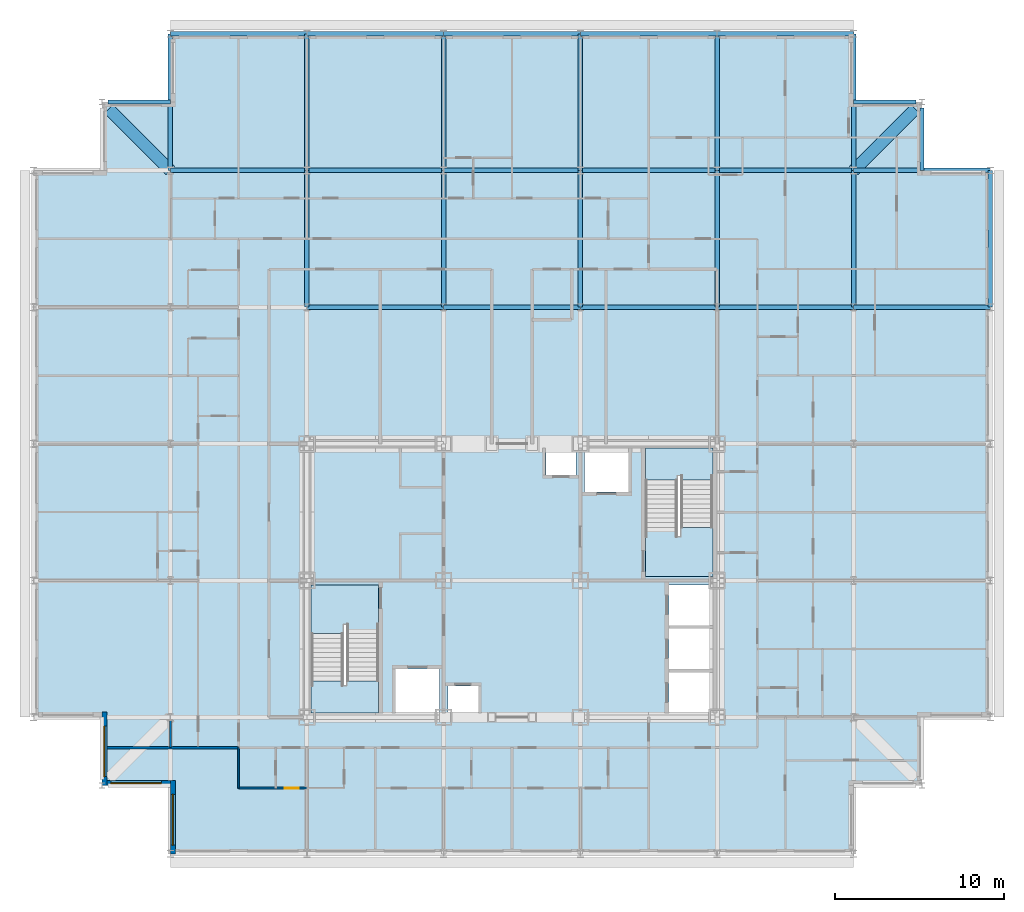
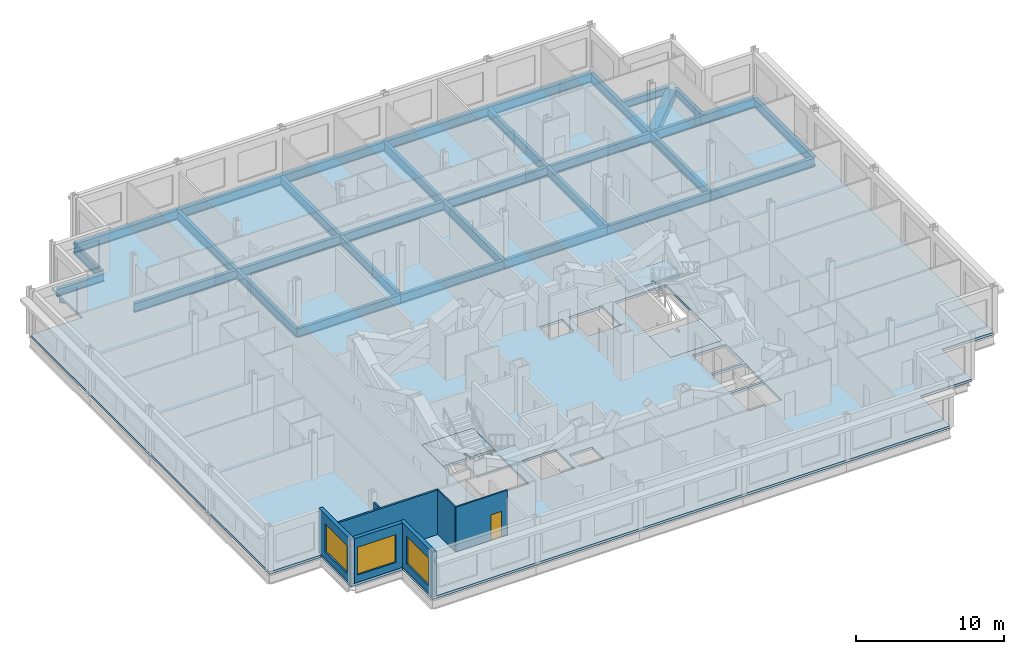
# One storey, part 6 of 15: 33 beams, 7 walls, 5 slabs, 3 windows, 1 door, 4 openings, 2 elements without a shape of their own.
"""IFC4 building model written with IfcOpenShell, lengths in metres."""

from ifc_helpers import new_model, si_unit, direction, frame, frame_2d, origin, origin_2d, place, context, subcontext, project, spatial, polyline, rectangle, hollow_rectangle, i_section, outline, extrude, material, layer, layer_set, material_profile, profile_set, type_object, element, fill, aggregate, save


model = new_model("IFC4")

# Units and contexts
model_context = context("Model", 3, precision=1e-05, world=origin(), true_north=direction((0.0, 1.0)))
body_context = subcontext(model_context, "Body", "Model", "MODEL_VIEW")
ifc_project = project(units=[si_unit("LENGTHUNIT", "METRE"), si_unit("AREAUNIT", "SQUARE_METRE"), si_unit("VOLUMEUNIT", "CUBIC_METRE"), si_unit("PLANEANGLEUNIT", "RADIAN"), si_unit("MASSUNIT", "GRAM", prefix="KILO")], contexts=[model_context])

# Site, building, storey
site_placement = place(None, origin())
site = spatial("IfcSite", under=ifc_project, at=site_placement, CompositionType="ELEMENT")
building_placement = place(site_placement, origin())
building = spatial("IfcBuilding", under=site, at=building_placement, Name="Kopane Lantern Tower", CompositionType="ELEMENT")
storey_placement = place(building_placement, frame((0.0, 0.0, 246.300048828125)))
storey = spatial("IfcBuildingStorey", under=building, at=storey_placement, Name="L63", CompositionType="ELEMENT", Elevation=246.300048828125)

# Beams
ifc_material_1 = material(Name="Steel S355JR", Category="steel")
ifc_material_profile_1 = material_profile(ifc_material_1, hollow_rectangle(XDim=0.699951171875, YDim=0.699951171875, WallThickness=0.06005859375, at=origin_2d()), Name="BOX 700x700x60")
ifc_profile_set_1 = profile_set([ifc_material_profile_1], Name="Steel S355JR")
beam_type_1 = type_object("IfcBeamType", Name="CORNER TIE BEAM BOX 700x700x60", PredefinedType="BEAM", material=ifc_profile_set_1)
beam_1_placement = place(storey_placement, frame((4.447509765625, 60.3525390625, -0.56005859375), z_axis=(0.707106781187, -0.707106781187, 0.0), x_axis=(0.707106781187, 0.707106781187, 0.0)))
element("IfcBeam", 1, at=beam_1_placement, inside=storey, type_object=beam_type_1, Name="Corner Tie Beam L63", PredefinedType="BEAM", context=body_context, shape_type="SweptSolid", body=[
    extrude(hollow_rectangle(XDim=0.699951171875, YDim=0.699951171875, WallThickness=0.06005859375, at=origin_2d()), origin(), (0.0, 0.0, 1.0), 5.16552734375),
])
beam_2_placement = place(storey_placement, frame((52.25244140625, 60.3525390625, -0.56005859375), z_axis=(-0.707083148333, -0.70713041325, 0.0), x_axis=(0.70713041325, -0.707083148333, 0.0)))
element("IfcBeam", 2, at=beam_2_placement, inside=storey, type_object=beam_type_1, Name="Corner Tie Beam L63", PredefinedType="BEAM", context=body_context, shape_type="SweptSolid", body=[
    extrude(hollow_rectangle(XDim=0.699951171875, YDim=0.699951171875, WallThickness=0.06005859375, at=origin_2d()), origin(), (0.0, 0.0, 1.0), 5.165283203125),
])
ifc_material_2 = material(Name="Steel S355JR", Category="steel")
ifc_material_profile_2 = material_profile(ifc_material_2, i_section(OverallWidth=0.22900390625, OverallDepth=0.6123046875, WebThickness=0.011962890625, FlangeThickness=0.01953125, FilletRadius=0.0126953125, at=origin_2d()), Name="UB 610x229x125")
ifc_profile_set_2 = profile_set([ifc_material_profile_2], Name="Steel S355JR")
beam_type_2 = type_object("IfcBeamType", Name="EDGE BEAM UB 610x229x125", PredefinedType="BEAM", material=ifc_profile_set_2)
beam_3_placement = place(storey_placement, frame((4.39990234375, 60.75, -0.51611328125), z_axis=(1.0, 0.0, 0.0), x_axis=(0.0, 1.0, 0.0)))
element("IfcBeam", 3, at=beam_3_placement, inside=storey, type_object=beam_type_2, Name="Edge Beam L63", PredefinedType="BEAM", context=body_context, shape_type="SweptSolid", body=[
    extrude(i_section(OverallWidth=0.22900390625, OverallDepth=0.6123046875, WebThickness=0.011962890625, FlangeThickness=0.01953125, FilletRadius=0.0126953125, at=origin_2d()), origin(), (0.0, 0.0, 1.0), 3.7001953125),
])
for number, where, z_axis, x_axis, name in (
    (4, (52.300048828125, 60.75, -0.51611328125), (-1.0, 0.0, 0.0), (0.0, -1.0, 0.0), "Edge Beam L63"),
    (5, (52.64990234375, 60.39990234375, -0.51611328125), (0.0, -1.0, 0.0), (1.0, 0.0, 0.0), "Edge Beam L63"),
):
    element("IfcBeam", number, at=place(storey_placement, frame(where, z_axis=z_axis, x_axis=x_axis)), inside=storey, type_object=beam_type_2, Name=name, PredefinedType="BEAM", context=body_context, shape_type="SweptSolid", body=[
        extrude(i_section(OverallWidth=0.22900390625, OverallDepth=0.6123046875, WebThickness=0.011962890625, FlangeThickness=0.01953125, FilletRadius=0.0126953125, at=origin_2d()), origin(), (0.0, 0.0, 1.0), 3.699951171875),
    ])
ifc_material_3 = material(Name="Steel S355JR", Category="steel")
ifc_material_profile_3 = material_profile(ifc_material_3, i_section(OverallWidth=0.2666015625, OverallDepth=0.76220703125, WebThickness=0.014404296875, FlangeThickness=0.021484375, FilletRadius=0.0166015625, at=origin_2d()), Name="UB 762x267x173")
ifc_profile_set_3 = profile_set([ifc_material_profile_3], Name="Steel S355JR")
beam_type_3 = type_object("IfcBeamType", Name="GIRDER UB 762x267x173", PredefinedType="BEAM", material=ifc_profile_set_3)
beam_4_placement = place(storey_placement, frame((8.10009765625, 56.699951171875, -0.591064453125), z_axis=(0.0, 1.0, 0.0), x_axis=(-1.0, 0.0, 0.0)))
element("IfcBeam", 6, at=beam_4_placement, inside=storey, type_object=beam_type_3, Name="Girder L63", PredefinedType="BEAM", context=body_context, shape_type="SweptSolid", body=[
    extrude(i_section(OverallWidth=0.2666015625, OverallDepth=0.76220703125, WebThickness=0.014404296875, FlangeThickness=0.021484375, FilletRadius=0.0166015625, at=origin_2d()), origin(), (0.0, 0.0, 1.0), 8.10009765625),
])
for number, where, z_axis, x_axis, name in (
    (7, (8.10009765625, 56.699951171875, -0.591064453125), (1.0, 0.0, 0.0), (0.0, 1.0, 0.0), "Girder L63"),
    (8, (8.10009765625, 64.800048828125, -0.591064453125), (1.0, 0.0, 0.0), (0.0, 1.0, 0.0), "Girder L63"),
    (9, (16.199951171875, 48.60009765625, -0.591064453125), (0.0, 1.0, 0.0), (-1.0, 0.0, 0.0), "Girder L63"),
):
    element("IfcBeam", number, at=place(storey_placement, frame(where, z_axis=z_axis, x_axis=x_axis)), inside=storey, type_object=beam_type_3, Name=name, PredefinedType="BEAM", context=body_context, shape_type="SweptSolid", body=[
        extrude(i_section(OverallWidth=0.2666015625, OverallDepth=0.76220703125, WebThickness=0.014404296875, FlangeThickness=0.021484375, FilletRadius=0.0166015625, at=origin_2d()), origin(), (0.0, 0.0, 1.0), 8.099853515625),
    ])
for number, where, z_axis, x_axis, name in (
    (10, (16.199951171875, 48.60009765625, -0.591064453125), (1.0, 0.0, 0.0), (0.0, 1.0, 0.0), "Girder L63"),
    (11, (16.199951171875, 56.699951171875, -0.591064453125), (0.0, 1.0, 0.0), (-1.0, 0.0, 0.0), "Girder L63"),
    (12, (16.199951171875, 56.699951171875, -0.591064453125), (1.0, 0.0, 0.0), (0.0, 1.0, 0.0), "Girder L63"),
    (13, (16.199951171875, 64.800048828125, -0.591064453125), (1.0, 0.0, 0.0), (0.0, 1.0, 0.0), "Girder L63"),
):
    element("IfcBeam", number, at=place(storey_placement, frame(where, z_axis=z_axis, x_axis=x_axis)), inside=storey, type_object=beam_type_3, Name=name, PredefinedType="BEAM", context=body_context, shape_type="SweptSolid", body=[
        extrude(i_section(OverallWidth=0.2666015625, OverallDepth=0.76220703125, WebThickness=0.014404296875, FlangeThickness=0.021484375, FilletRadius=0.0166015625, at=origin_2d()), origin(), (0.0, 0.0, 1.0), 8.10009765625),
    ])
for number, where, z_axis, x_axis, name in (
    (14, (24.300048828125, 48.60009765625, -0.591064453125), (0.0, 1.0, 0.0), (-1.0, 0.0, 0.0), "Girder L63"),
    (15, (24.300048828125, 48.60009765625, -0.591064453125), (1.0, 0.0, 0.0), (0.0, 1.0, 0.0), "Girder L63"),
):
    element("IfcBeam", number, at=place(storey_placement, frame(where, z_axis=z_axis, x_axis=x_axis)), inside=storey, type_object=beam_type_3, Name=name, PredefinedType="BEAM", context=body_context, shape_type="SweptSolid", body=[
        extrude(i_section(OverallWidth=0.2666015625, OverallDepth=0.76220703125, WebThickness=0.014404296875, FlangeThickness=0.021484375, FilletRadius=0.0166015625, at=origin_2d()), origin(), (0.0, 0.0, 1.0), 8.099853515625),
    ])
beam_5_placement = place(storey_placement, frame((24.300048828125, 56.699951171875, -0.591064453125), z_axis=(0.0, 1.0, 0.0), x_axis=(-1.0, 0.0, 0.0)))
element("IfcBeam", 16, at=beam_5_placement, inside=storey, type_object=beam_type_3, Name="Girder L63", PredefinedType="BEAM", context=body_context, shape_type="SweptSolid", body=[
    extrude(i_section(OverallWidth=0.2666015625, OverallDepth=0.76220703125, WebThickness=0.014404296875, FlangeThickness=0.021484375, FilletRadius=0.0166015625, at=origin_2d()), origin(), (0.0, 0.0, 1.0), 8.10009765625),
])
for number, where, z_axis, x_axis, name in (
    (17, (24.300048828125, 56.699951171875, -0.591064453125), (1.0, 0.0, 0.0), (0.0, 1.0, 0.0), "Girder L63"),
    (18, (24.300048828125, 64.800048828125, -0.591064453125), (1.0, 0.0, 0.0), (0.0, 1.0, 0.0), "Girder L63"),
    (19, (32.39990234375, 48.60009765625, -0.591064453125), (0.0, 1.0, 0.0), (-1.0, 0.0, 0.0), "Girder L63"),
):
    element("IfcBeam", number, at=place(storey_placement, frame(where, z_axis=z_axis, x_axis=x_axis)), inside=storey, type_object=beam_type_3, Name=name, PredefinedType="BEAM", context=body_context, shape_type="SweptSolid", body=[
        extrude(i_section(OverallWidth=0.2666015625, OverallDepth=0.76220703125, WebThickness=0.014404296875, FlangeThickness=0.021484375, FilletRadius=0.0166015625, at=origin_2d()), origin(), (0.0, 0.0, 1.0), 8.099853515625),
    ])
for number, where, z_axis, x_axis, name in (
    (20, (32.39990234375, 48.60009765625, -0.591064453125), (1.0, 0.0, 0.0), (0.0, 1.0, 0.0), "Girder L63"),
    (21, (32.39990234375, 56.699951171875, -0.591064453125), (0.0, 1.0, 0.0), (-1.0, 0.0, 0.0), "Girder L63"),
    (22, (32.39990234375, 56.699951171875, -0.591064453125), (1.0, 0.0, 0.0), (0.0, 1.0, 0.0), "Girder L63"),
    (23, (32.39990234375, 64.800048828125, -0.591064453125), (1.0, 0.0, 0.0), (0.0, 1.0, 0.0), "Girder L63"),
):
    element("IfcBeam", number, at=place(storey_placement, frame(where, z_axis=z_axis, x_axis=x_axis)), inside=storey, type_object=beam_type_3, Name=name, PredefinedType="BEAM", context=body_context, shape_type="SweptSolid", body=[
        extrude(i_section(OverallWidth=0.2666015625, OverallDepth=0.76220703125, WebThickness=0.014404296875, FlangeThickness=0.021484375, FilletRadius=0.0166015625, at=origin_2d()), origin(), (0.0, 0.0, 1.0), 8.10009765625),
    ])
beam_6_placement = place(storey_placement, frame((40.5, 48.60009765625, -0.591064453125), z_axis=(0.0, 1.0, 0.0), x_axis=(-1.0, 0.0, 0.0)))
element("IfcBeam", 24, at=beam_6_placement, inside=storey, type_object=beam_type_3, Name="Girder L63", PredefinedType="BEAM", context=body_context, shape_type="SweptSolid", body=[
    extrude(i_section(OverallWidth=0.2666015625, OverallDepth=0.76220703125, WebThickness=0.014404296875, FlangeThickness=0.021484375, FilletRadius=0.0166015625, at=origin_2d()), origin(), (0.0, 0.0, 1.0), 8.099853515625),
])
for number, where, z_axis, x_axis, name in (
    (25, (40.5, 48.60009765625, -0.591064453125), (1.0, 0.0, 0.0), (0.0, 1.0, 0.0), "Girder L63"),
    (26, (40.5, 56.699951171875, -0.591064453125), (0.0, 1.0, 0.0), (-1.0, 0.0, 0.0), "Girder L63"),
    (27, (40.5, 56.699951171875, -0.591064453125), (1.0, 0.0, 0.0), (0.0, 1.0, 0.0), "Girder L63"),
    (28, (40.5, 64.800048828125, -0.591064453125), (1.0, 0.0, 0.0), (0.0, 1.0, 0.0), "Girder L63"),
):
    element("IfcBeam", number, at=place(storey_placement, frame(where, z_axis=z_axis, x_axis=x_axis)), inside=storey, type_object=beam_type_3, Name=name, PredefinedType="BEAM", context=body_context, shape_type="SweptSolid", body=[
        extrude(i_section(OverallWidth=0.2666015625, OverallDepth=0.76220703125, WebThickness=0.014404296875, FlangeThickness=0.021484375, FilletRadius=0.0166015625, at=origin_2d()), origin(), (0.0, 0.0, 1.0), 8.10009765625),
    ])
for number, where, z_axis, x_axis, name in (
    (29, (48.60009765625, 48.60009765625, -0.591064453125), (0.0, 1.0, 0.0), (-1.0, 0.0, 0.0), "Girder L63"),
    (30, (48.60009765625, 48.60009765625, -0.591064453125), (1.0, 0.0, 0.0), (0.0, 1.0, 0.0), "Girder L63"),
):
    element("IfcBeam", number, at=place(storey_placement, frame(where, z_axis=z_axis, x_axis=x_axis)), inside=storey, type_object=beam_type_3, Name=name, PredefinedType="BEAM", context=body_context, shape_type="SweptSolid", body=[
        extrude(i_section(OverallWidth=0.2666015625, OverallDepth=0.76220703125, WebThickness=0.014404296875, FlangeThickness=0.021484375, FilletRadius=0.0166015625, at=origin_2d()), origin(), (0.0, 0.0, 1.0), 8.099853515625),
    ])
beam_7_placement = place(storey_placement, frame((48.60009765625, 56.699951171875, -0.591064453125), z_axis=(0.0, 1.0, 0.0), x_axis=(-1.0, 0.0, 0.0)))
element("IfcBeam", 31, at=beam_7_placement, inside=storey, type_object=beam_type_3, Name="Girder L63", PredefinedType="BEAM", context=body_context, shape_type="SweptSolid", body=[
    extrude(i_section(OverallWidth=0.2666015625, OverallDepth=0.76220703125, WebThickness=0.014404296875, FlangeThickness=0.021484375, FilletRadius=0.0166015625, at=origin_2d()), origin(), (0.0, 0.0, 1.0), 8.10009765625),
])
for number, where, z_axis, x_axis, name in (
    (32, (48.60009765625, 56.699951171875, -0.591064453125), (1.0, 0.0, 0.0), (0.0, 1.0, 0.0), "Girder L63"),
    (33, (56.699951171875, 48.60009765625, -0.591064453125), (0.0, 1.0, 0.0), (-1.0, 0.0, 0.0), "Girder L63"),
):
    element("IfcBeam", number, at=place(storey_placement, frame(where, z_axis=z_axis, x_axis=x_axis)), inside=storey, type_object=beam_type_3, Name=name, PredefinedType="BEAM", context=body_context, shape_type="SweptSolid", body=[
        extrude(i_section(OverallWidth=0.2666015625, OverallDepth=0.76220703125, WebThickness=0.014404296875, FlangeThickness=0.021484375, FilletRadius=0.0166015625, at=origin_2d()), origin(), (0.0, 0.0, 1.0), 8.099853515625),
    ])

# Slab
ifc_material_4 = material(Name="Concrete C40/50", Category="concrete")
ifc_layer_1 = layer(ifc_material_4, 0.2099609375)
ifc_layer_set_1 = layer_set([ifc_layer_1], Name="SLAB 210 COMPOSITE")
slab_type_1 = type_object("IfcSlabType", Name="SLAB 210 COMPOSITE", PredefinedType="FLOOR", material=ifc_layer_set_1)
slab_1_placement = place(storey_placement, frame((0.0, 0.0, -0.2099609375)))
element("IfcSlab", 34, at=slab_1_placement, inside=storey, type_object=slab_type_1, Name="Floor slab L63", PredefinedType="FLOOR", context=body_context, shape_type="SweptSolid", body=[
    extrude(outline(polyline([(8.10009765625, 16.199951171875), (48.60009765625, 16.199951171875), (48.60009765625, 20.25), (52.64990234375, 20.25), (52.64990234375, 24.300048828125), (56.699951171875, 24.300048828125), (56.699951171875, 56.699951171875), (52.64990234375, 56.699951171875), (52.64990234375, 60.75), (48.60009765625, 60.75), (48.60009765625, 64.800048828125), (8.10009765625, 64.800048828125), (8.10009765625, 60.75), (4.050048828125, 60.75), (4.050048828125, 56.699951171875), (0.0, 56.699951171875), (0.0, 24.300048828125), (4.050048828125, 24.300048828125), (4.050048828125, 20.25), (8.10009765625, 20.25), (8.10009765625, 16.199951171875)]), holes=[polyline([(16.449951171875, 24.550048828125), (20.449951171875, 24.550048828125), (20.449951171875, 32.14990234375), (16.449951171875, 32.14990234375), (16.449951171875, 24.550048828125)]), polyline([(36.25, 32.64990234375), (40.25, 32.64990234375), (40.25, 40.25), (36.25, 40.25), (36.25, 32.64990234375)]), polyline([(37.64990234375, 24.550048828125), (40.25, 24.550048828125), (40.25, 26.949951171875), (37.64990234375, 26.949951171875), (37.64990234375, 24.550048828125)]), polyline([(37.64990234375, 27.14990234375), (40.25, 27.14990234375), (40.25, 29.550048828125), (37.64990234375, 29.550048828125), (37.64990234375, 27.14990234375)]), polyline([(37.64990234375, 29.75), (40.25, 29.75), (40.25, 32.14990234375), (37.64990234375, 32.14990234375), (37.64990234375, 29.75)]), polyline([(21.449951171875, 24.550048828125), (24.050048828125, 24.550048828125), (24.050048828125, 27.14990234375), (21.449951171875, 27.14990234375), (21.449951171875, 24.550048828125)]), polyline([(32.64990234375, 37.64990234375), (35.25, 37.64990234375), (35.25, 40.25), (32.64990234375, 40.25), (32.64990234375, 37.64990234375)]), polyline([(24.550048828125, 24.550048828125), (26.35009765625, 24.550048828125), (26.35009765625, 26.14990234375), (24.550048828125, 26.14990234375), (24.550048828125, 24.550048828125)]), polyline([(30.35009765625, 38.64990234375), (32.14990234375, 38.64990234375), (32.14990234375, 40.25), (30.35009765625, 40.25), (30.35009765625, 38.64990234375)])]), origin(), (0.0, 0.0, 1.0), 0.2099609375),
])

# Stair, slabs
ifc_material_5 = material(Name="Steel S355JR", Category="steel")
stair_type = type_object("IfcStairType", Name="EXIT STAIR 1900 HALF TURN", PredefinedType="HALF_TURN_STAIR", material=ifc_material_5)
stair_1_placement = place(storey_placement, origin())
stair_1 = element("IfcStair", 35, at=stair_1_placement, inside=storey, type_object=stair_type, Name="Exit stair ST1 L63", PredefinedType="HALF_TURN_STAIR")
ifc_material_6 = material(Name="Concrete C40/50", Category="concrete")
ifc_layer_2 = layer(ifc_material_6, 0.199951171875)
ifc_layer_set_2 = layer_set([ifc_layer_2], Name="STAIR LANDING 200")
slab_type_2 = type_object("IfcSlabType", Name="STAIR LANDING 200", PredefinedType="LANDING", material=ifc_layer_set_2)
slab_2_placement = place(storey_placement, frame((0.0, 0.0, -0.199951171875)))
slab_2 = element("IfcSlab", 36, at=slab_2_placement, type_object=slab_type_2, Name="ST1 landing 1", PredefinedType="LANDING", context=body_context, shape_type="SweptSolid", body=[
    extrude(outline(polyline([(18.35009765625, 29.81005859375), (18.550048828125, 29.81005859375), (18.550048828125, 29.25), (20.449951171875, 29.25), (20.449951171875, 32.14990234375), (16.449951171875, 32.14990234375), (16.449951171875, 29.25), (18.35009765625, 29.25), (18.35009765625, 29.81005859375)])), origin(), (0.0, 0.0, 1.0), 0.199951171875),
])
slab_3_placement = place(storey_placement, frame((0.0, 0.0, 1.834716796875)))
slab_3 = element("IfcSlab", 37, at=slab_3_placement, type_object=slab_type_2, Name="ST1 landing 2", PredefinedType="LANDING", context=body_context, shape_type="SweptSolid", body=[
    extrude(outline(polyline([(20.449951171875, 26.449951171875), (18.550048828125, 26.449951171875), (18.550048828125, 26.169921875), (18.35009765625, 26.169921875), (18.35009765625, 26.449951171875), (16.449951171875, 26.449951171875), (16.449951171875, 24.550048828125), (20.449951171875, 24.550048828125), (20.449951171875, 26.449951171875)])), origin(), (0.0, 0.0, 1.0), 0.199951171875),
])
aggregate(stair_1, [slab_2, slab_3])

stair_2_placement = place(storey_placement, origin())
stair_2 = element("IfcStair", 38, at=stair_2_placement, inside=storey, type_object=stair_type, Name="Exit stair ST2 L63", PredefinedType="HALF_TURN_STAIR")
slab_4_placement = place(storey_placement, frame((0.0, 0.0, -0.199951171875)))
slab_4 = element("IfcSlab", 39, at=slab_4_placement, type_object=slab_type_2, Name="ST2 landing 1", PredefinedType="LANDING", context=body_context, shape_type="SweptSolid", body=[
    extrude(outline(polyline([(40.25, 35.550048828125), (38.35009765625, 35.550048828125), (38.35009765625, 34.989990234375), (38.14990234375, 34.989990234375), (38.14990234375, 35.550048828125), (36.25, 35.550048828125), (36.25, 32.64990234375), (40.25, 32.64990234375), (40.25, 35.550048828125)])), origin(), (0.0, 0.0, 1.0), 0.199951171875),
])
slab_5_placement = place(storey_placement, frame((0.0, 0.0, 1.834716796875)))
slab_5 = element("IfcSlab", 40, at=slab_5_placement, type_object=slab_type_2, Name="ST2 landing 2", PredefinedType="LANDING", context=body_context, shape_type="SweptSolid", body=[
    extrude(outline(polyline([(38.14990234375, 38.6298828125), (38.35009765625, 38.6298828125), (38.35009765625, 38.35009765625), (40.25, 38.35009765625), (40.25, 40.25), (36.25, 40.25), (36.25, 38.35009765625), (38.14990234375, 38.35009765625), (38.14990234375, 38.6298828125)])), origin(), (0.0, 0.0, 1.0), 0.199951171875),
])
aggregate(stair_2, [slab_4, slab_5])

# Wall, opening, door
ifc_material_7 = material(Name="Gypsum board on steel studs", Category="steel")
ifc_layer_3 = layer(ifc_material_7, 0.1201171875)
ifc_layer_set_3 = layer_set([ifc_layer_3], Name="APARTMENT INTERNAL WALL 120")
wall_type_1 = type_object("IfcWallType", Name="APARTMENT INTERNAL WALL 120", PredefinedType="PARTITIONING", material=ifc_layer_set_3)
wall_1_placement = place(storey_placement, frame((12.14990234375, 20.10009765625, 0.0), z_axis=(0.0, 0.0, 1.0), x_axis=(1.0, 0.0, 0.0)))
wall_1 = element("IfcWall", 41, at=wall_1_placement, inside=storey, type_object=wall_type_1, Name="Apartment Internal Wall 120 L63", PredefinedType="PARTITIONING", context=body_context, shape_type="SweptSolid", body=[
    extrude(rectangle(XDim=4.050048828125, YDim=0.1201171875, at=frame_2d((2.02490234375, 0.0))), origin(), (0.0, 0.0, 1.0), 3.68994140625),
])
opening_1_placement = place(wall_1_placement, frame((2.72509765625, 0.0, 0.0)))
opening_1 = element("IfcOpeningElement", 42, at=opening_1_placement, cuts=wall_1, Name="Opening L63-038", PredefinedType="OPENING", context=body_context, shape_type="SweptSolid", body=[
    extrude(rectangle(XDim=0.85009765625, YDim=2.10009765625, at=frame_2d((0.425048828125, 1.050048828125))), frame((0.0, 0.070068359375, 0.0), z_axis=(0.0, -1.0, 0.0), x_axis=(1.0, 0.0, 0.0)), (0.0, 0.0, 1.0), 0.14013671875),
])
ifc_material_8 = material(Name="Timber door set", Category="wood")
door_type = type_object("IfcDoorType", Name="DOOR D4 850x2100", OperationType="SINGLE_SWING_LEFT", PredefinedType="DOOR", material=ifc_material_8)
door_placement = place(opening_1_placement, origin())
door = element("IfcDoor", 43, at=door_placement, inside=storey, type_object=door_type, Name="Door L63-038", OperationType="SINGLE_SWING_LEFT", OverallHeight=2.10009765625, OverallWidth=0.85009765625, PredefinedType="DOOR", context=body_context, shape_type="SweptSolid", body=[
    extrude(rectangle(XDim=0.85009765625, YDim=2.10009765625, at=frame_2d((0.425048828125, 1.050048828125))), frame((0.0, 0.02490234375, 0.0), z_axis=(0.0, -1.0, 0.0), x_axis=(1.0, 0.0, 0.0)), (0.0, 0.0, 1.0), 0.050048828125),
])
fill(opening_1, door)

# Walls
wall_2_placement = place(storey_placement, frame((8.10009765625, 22.5, 0.0), z_axis=(0.0, 0.0, 1.0), x_axis=(0.0, 1.0, 0.0)))
element("IfcWall", 44, at=wall_2_placement, inside=storey, type_object=wall_type_1, Name="Apartment Internal Wall 120 L63", PredefinedType="PARTITIONING", context=body_context, shape_type="SweptSolid", body=[
    extrude(rectangle(XDim=1.596923828125, YDim=0.1201171875, at=frame_2d((0.79833984375, 0.0))), origin(), (0.0, 0.0, 1.0), 3.07763671875),
])
ifc_material_9 = material(Name="Moisture-resistant board on steel studs", Category="steel")
ifc_layer_4 = layer(ifc_material_9, 0.10009765625)
ifc_layer_set_4 = layer_set([ifc_layer_4], Name="BATHROOM WALL 100")
wall_type_2 = type_object("IfcWallType", Name="BATHROOM WALL 100", PredefinedType="PARTITIONING", material=ifc_layer_set_4)
wall_3_placement = place(storey_placement, frame((12.14990234375, 22.5, 0.0), z_axis=(0.0, 0.0, 1.0), x_axis=(0.0, -1.0, 0.0)))
element("IfcWall", 45, at=wall_3_placement, inside=storey, type_object=wall_type_2, Name="Bathroom Wall 100 L63", PredefinedType="PARTITIONING", context=body_context, shape_type="SweptSolid", body=[
    extrude(rectangle(XDim=2.39990234375, YDim=0.10009765625, at=frame_2d((1.199951171875, 0.0))), origin(), (0.0, 0.0, 1.0), 3.68994140625),
])
ifc_material_10 = material(Name="Gypsum board on steel studs", Category="steel")
ifc_layer_5 = layer(ifc_material_10, 0.14990234375)
ifc_layer_set_5 = layer_set([ifc_layer_5], Name="DEMISING WALL 150 EI 60")
wall_type_3 = type_object("IfcWallType", Name="DEMISING WALL 150 EI 60", PredefinedType="PARTITIONING", material=ifc_layer_set_5)
wall_4_placement = place(storey_placement, frame((4.35009765625, 22.5, 0.0), z_axis=(0.0, 0.0, 1.0), x_axis=(1.0, 0.0, 0.0)))
element("IfcWall", 46, at=wall_4_placement, inside=storey, type_object=wall_type_3, Name="Demising Wall 150 Ei 60 L63", PredefinedType="PARTITIONING", context=body_context, shape_type="SweptSolid", body=[
    extrude(rectangle(XDim=7.7998046875, YDim=0.14990234375, at=frame_2d((3.89990234375, 0.0))), origin(), (0.0, 0.0, 1.0), 3.68994140625),
])

# Wall, opening, window
ifc_material_11 = material(Name="Terracotta rainscreen on light steel framing", Category="masonry")
ifc_layer_6 = layer(ifc_material_11, 0.300048828125)
ifc_layer_set_6 = layer_set([ifc_layer_6], Name="EXTERNAL WALL EW1 300 TERRACOTTA")
wall_type_4 = type_object("IfcWallType", Name="EXTERNAL WALL EW1 300 TERRACOTTA", PredefinedType="SOLIDWALL", material=ifc_layer_set_6)
wall_5_placement = place(storey_placement, frame((4.199951171875, 24.60009765625, 0.0), z_axis=(0.0, 0.0, 1.0), x_axis=(0.0, -1.0, 0.0)))
wall_5 = element("IfcWall", 47, at=wall_5_placement, inside=storey, type_object=wall_type_4, Name="External wall W L63", PredefinedType="SOLIDWALL", context=body_context, shape_type="SweptSolid", body=[
    extrude(rectangle(XDim=4.35009765625, YDim=0.300048828125, at=frame_2d((2.175048828125, 0.0))), origin(), (0.0, 0.0, 1.0), 3.68994140625),
])
opening_2_placement = place(wall_5_placement, frame((0.824951171875, 0.0, 0.60009765625)))
opening_2 = element("IfcOpeningElement", 48, at=opening_2_placement, cuts=wall_5, Name="Opening WR300230", PredefinedType="OPENING", context=body_context, shape_type="SweptSolid", body=[
    extrude(rectangle(XDim=3.0, YDim=2.300048828125, at=frame_2d((1.5, 1.14990234375))), frame((0.0, 0.159912109375, 0.0), z_axis=(0.0, -1.0, 0.0), x_axis=(1.0, 0.0, 0.0)), (0.0, 0.0, 1.0), 0.320068359375),
])
ifc_material_12 = material(Name="Aluminium and clear glass", Category="aluminium")
window_type = type_object("IfcWindowType", Name="RIBBON WINDOW WR300230 3000x2300", PartitioningType="SINGLE_PANEL", PredefinedType="WINDOW", material=ifc_material_12)
window_1_placement = place(opening_2_placement, origin())
window_1 = element("IfcWindow", 49, at=window_1_placement, inside=storey, type_object=window_type, Name="Window W L63", OverallHeight=2.300048828125, OverallWidth=3.0, PartitioningType="SINGLE_PANEL", PredefinedType="WINDOW", context=body_context, shape_type="SweptSolid", body=[
    extrude(rectangle(XDim=3.0, YDim=2.300048828125, at=frame_2d((1.5, 1.14990234375))), frame((0.0, 0.030029296875, 0.0), z_axis=(0.0, -1.0, 0.0), x_axis=(1.0, 0.0, 0.0)), (0.0, 0.0, 1.0), 0.06005859375),
])
fill(opening_2, window_1)

wall_6_placement = place(storey_placement, frame((4.35009765625, 20.39990234375, 0.0), z_axis=(0.0, 0.0, 1.0), x_axis=(1.0, 0.0, 0.0)))
wall_6 = element("IfcWall", 50, at=wall_6_placement, inside=storey, type_object=wall_type_4, Name="External wall S L63", PredefinedType="SOLIDWALL", context=body_context, shape_type="SweptSolid", body=[
    extrude(rectangle(XDim=3.75, YDim=0.300048828125, at=frame_2d((1.875, 0.0))), origin(), (0.0, 0.0, 1.0), 3.68994140625),
])
opening_3_placement = place(wall_6_placement, frame((0.22509765625, 0.0, 0.60009765625)))
opening_3 = element("IfcOpeningElement", 51, at=opening_3_placement, cuts=wall_6, Name="Opening WR300230", PredefinedType="OPENING", context=body_context, shape_type="SweptSolid", body=[
    extrude(rectangle(XDim=3.0, YDim=2.300048828125, at=frame_2d((1.5, 1.14990234375))), frame((0.0, 0.159912109375, 0.0), z_axis=(0.0, -1.0, 0.0), x_axis=(1.0, 0.0, 0.0)), (0.0, 0.0, 1.0), 0.320068359375),
])
window_2_placement = place(opening_3_placement, origin())
window_2 = element("IfcWindow", 52, at=window_2_placement, inside=storey, type_object=window_type, Name="Window S L63", OverallHeight=2.300048828125, OverallWidth=3.0, PartitioningType="SINGLE_PANEL", PredefinedType="WINDOW", context=body_context, shape_type="SweptSolid", body=[
    extrude(rectangle(XDim=3.0, YDim=2.300048828125, at=frame_2d((1.5, 1.14990234375))), frame((0.0, 0.030029296875, 0.0), z_axis=(0.0, -1.0, 0.0), x_axis=(1.0, 0.0, 0.0)), (0.0, 0.0, 1.0), 0.06005859375),
])
fill(opening_3, window_2)

wall_7_placement = place(storey_placement, frame((8.25, 20.550048828125, 0.0), z_axis=(0.0, 0.0, 1.0), x_axis=(0.0, -1.0, 0.0)))
wall_7 = element("IfcWall", 53, at=wall_7_placement, inside=storey, type_object=wall_type_4, Name="External wall W L63", PredefinedType="SOLIDWALL", context=body_context, shape_type="SweptSolid", body=[
    extrude(rectangle(XDim=4.35009765625, YDim=0.300048828125, at=frame_2d((2.175048828125, 0.0))), origin(), (0.0, 0.0, 1.0), 3.68994140625),
])
opening_4_placement = place(wall_7_placement, frame((0.824951171875, 0.0, 0.60009765625)))
opening_4 = element("IfcOpeningElement", 54, at=opening_4_placement, cuts=wall_7, Name="Opening WR300230", PredefinedType="OPENING", context=body_context, shape_type="SweptSolid", body=[
    extrude(rectangle(XDim=3.0, YDim=2.300048828125, at=frame_2d((1.5, 1.14990234375))), frame((0.0, 0.159912109375, 0.0), z_axis=(0.0, -1.0, 0.0), x_axis=(1.0, 0.0, 0.0)), (0.0, 0.0, 1.0), 0.320068359375),
])
window_3_placement = place(opening_4_placement, origin())
window_3 = element("IfcWindow", 55, at=window_3_placement, inside=storey, type_object=window_type, Name="Window W L63", OverallHeight=2.300048828125, OverallWidth=3.0, PartitioningType="SINGLE_PANEL", PredefinedType="WINDOW", context=body_context, shape_type="SweptSolid", body=[
    extrude(rectangle(XDim=3.0, YDim=2.300048828125, at=frame_2d((1.5, 1.14990234375))), frame((0.0, 0.030029296875, 0.0), z_axis=(0.0, -1.0, 0.0), x_axis=(1.0, 0.0, 0.0)), (0.0, 0.0, 1.0), 0.06005859375),
])
fill(opening_4, window_3)

save(model, "model.ifc")
